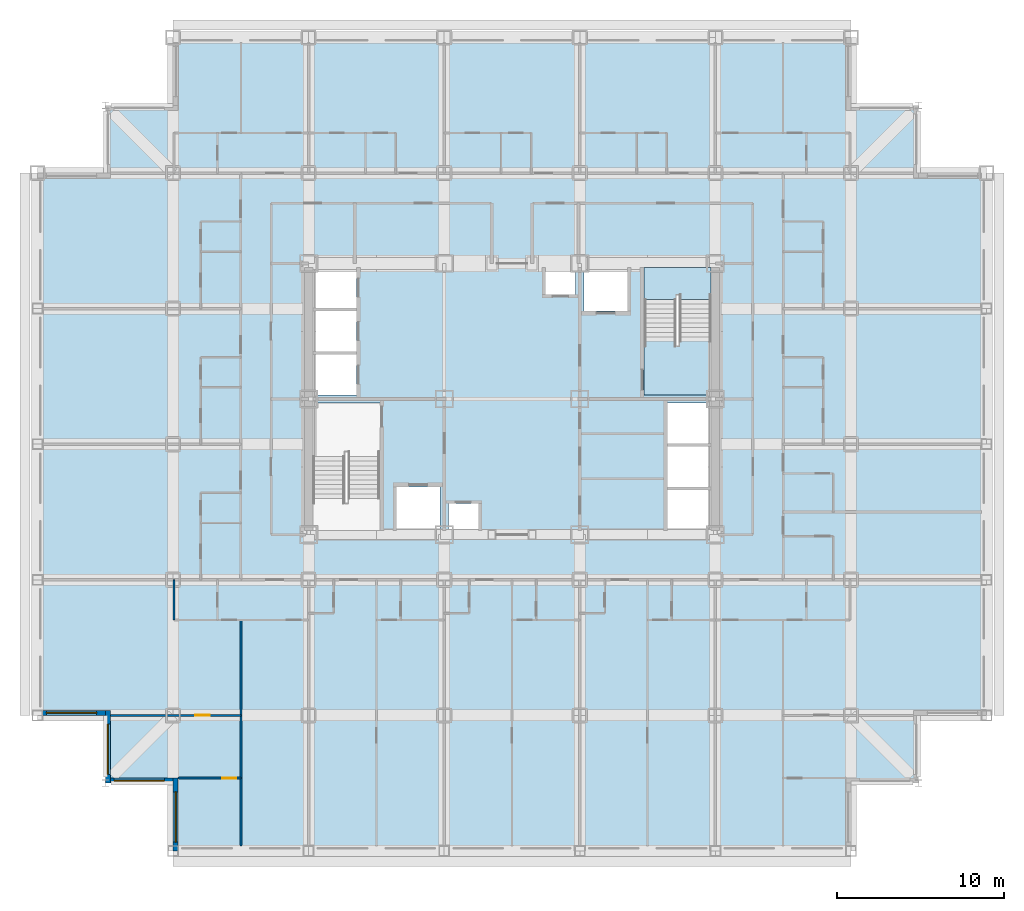
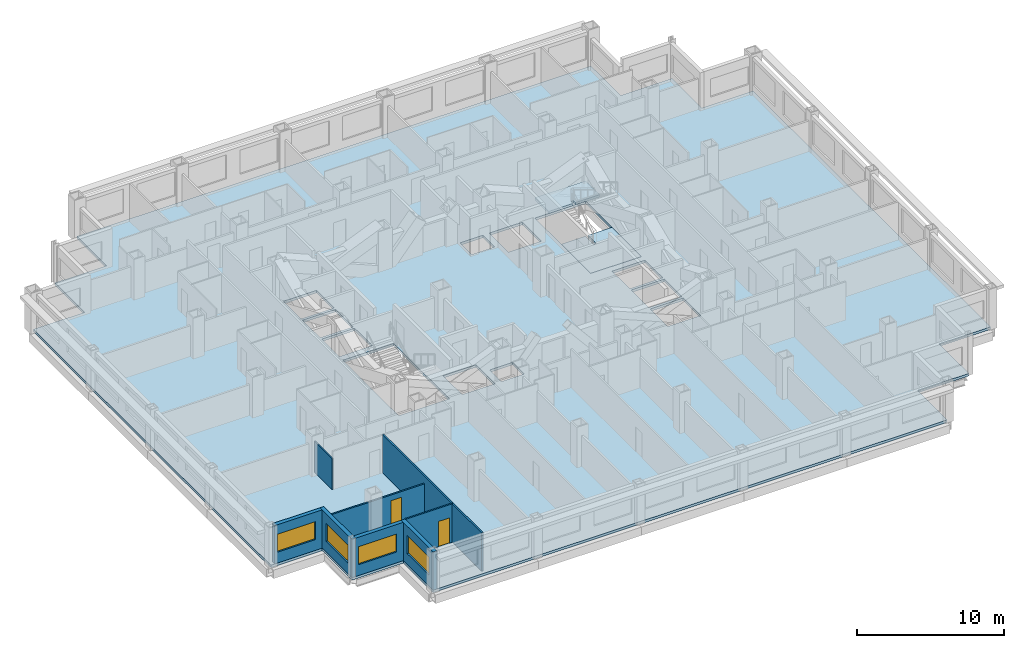
# One storey, part 3 of 12: 8 walls, 4 windows, 3 slabs, 2 doors, 6 openings, 1 element without a shape of its own.
"""IFC4 building model written with IfcOpenShell, lengths in metres."""

from ifc_helpers import new_model, si_unit, direction, frame, frame_2d, origin, place, context, subcontext, project, spatial, polyline, rectangle, outline, extrude, material, layer, layer_set, type_object, element, fill, aggregate, save


model = new_model("IFC4")

# Units and contexts
model_context = context("Model", 3, precision=1e-05, world=origin(), true_north=direction((0.0, 1.0)))
body_context = subcontext(model_context, "Body", "Model", "MODEL_VIEW")
ifc_project = project(units=[si_unit("LENGTHUNIT", "METRE"), si_unit("AREAUNIT", "SQUARE_METRE"), si_unit("VOLUMEUNIT", "CUBIC_METRE"), si_unit("PLANEANGLEUNIT", "RADIAN"), si_unit("MASSUNIT", "GRAM", prefix="KILO")], contexts=[model_context])

# Site, building, storey
site_placement = place(None, origin())
site = spatial("IfcSite", under=ifc_project, at=site_placement, CompositionType="ELEMENT")
building_placement = place(site_placement, origin())
building = spatial("IfcBuilding", under=site, at=building_placement, Name="Kopane Lantern Tower", CompositionType="ELEMENT")
storey_placement = place(building_placement, frame((0.0, 0.0, 103.39990234375)))
storey = spatial("IfcBuildingStorey", under=building, at=storey_placement, Name="L25", CompositionType="ELEMENT", Elevation=103.39990234375)

# Slab
ifc_material_1 = material(Name="Concrete C40/50", Category="concrete")
ifc_layer_1 = layer(ifc_material_1, 0.2099609375)
ifc_layer_set_1 = layer_set([ifc_layer_1], Name="SLAB 210 COMPOSITE")
slab_type_1 = type_object("IfcSlabType", Name="SLAB 210 COMPOSITE", PredefinedType="FLOOR", material=ifc_layer_set_1)
slab_1_placement = place(storey_placement, frame((0.0, 0.0, -0.2099609375)))
element("IfcSlab", 1, at=slab_1_placement, inside=storey, type_object=slab_type_1, Name="Floor slab L25", PredefinedType="FLOOR", context=body_context, shape_type="SweptSolid", body=[
    extrude(outline(polyline([(8.10009765625, 5.39990234375), (48.60009765625, 5.39990234375), (48.60009765625, 9.449951171875), (52.64990234375, 9.449951171875), (52.64990234375, 13.5), (56.699951171875, 13.5), (56.699951171875, 45.89990234375), (52.64990234375, 45.89990234375), (52.64990234375, 49.949951171875), (48.60009765625, 49.949951171875), (48.60009765625, 54.0), (8.10009765625, 54.0), (8.10009765625, 49.949951171875), (4.050048828125, 49.949951171875), (4.050048828125, 45.89990234375), (0.0, 45.89990234375), (0.0, 13.5), (4.050048828125, 13.5), (4.050048828125, 9.449951171875), (8.10009765625, 9.449951171875), (8.10009765625, 5.39990234375)]), holes=[polyline([(16.449951171875, 24.550048828125), (20.449951171875, 24.550048828125), (20.449951171875, 32.14990234375), (16.449951171875, 32.14990234375), (16.449951171875, 24.550048828125)]), polyline([(36.25, 32.64990234375), (40.25, 32.64990234375), (40.25, 40.25), (36.25, 40.25), (36.25, 32.64990234375)]), polyline([(16.449951171875, 32.64990234375), (19.050048828125, 32.64990234375), (19.050048828125, 35.050048828125), (16.449951171875, 35.050048828125), (16.449951171875, 32.64990234375)]), polyline([(16.449951171875, 35.25), (19.050048828125, 35.25), (19.050048828125, 37.64990234375), (16.449951171875, 37.64990234375), (16.449951171875, 35.25)]), polyline([(16.449951171875, 37.85009765625), (19.050048828125, 37.85009765625), (19.050048828125, 40.25), (16.449951171875, 40.25), (16.449951171875, 37.85009765625)]), polyline([(37.64990234375, 24.550048828125), (40.25, 24.550048828125), (40.25, 26.949951171875), (37.64990234375, 26.949951171875), (37.64990234375, 24.550048828125)]), polyline([(37.64990234375, 27.14990234375), (40.25, 27.14990234375), (40.25, 29.550048828125), (37.64990234375, 29.550048828125), (37.64990234375, 27.14990234375)]), polyline([(37.64990234375, 29.75), (40.25, 29.75), (40.25, 32.14990234375), (37.64990234375, 32.14990234375), (37.64990234375, 29.75)]), polyline([(21.449951171875, 24.550048828125), (24.050048828125, 24.550048828125), (24.050048828125, 27.14990234375), (21.449951171875, 27.14990234375), (21.449951171875, 24.550048828125)]), polyline([(32.64990234375, 37.64990234375), (35.25, 37.64990234375), (35.25, 40.25), (32.64990234375, 40.25), (32.64990234375, 37.64990234375)]), polyline([(24.550048828125, 24.550048828125), (26.35009765625, 24.550048828125), (26.35009765625, 26.14990234375), (24.550048828125, 26.14990234375), (24.550048828125, 24.550048828125)]), polyline([(30.35009765625, 38.64990234375), (32.14990234375, 38.64990234375), (32.14990234375, 40.25), (30.35009765625, 40.25), (30.35009765625, 38.64990234375)])]), origin(), (0.0, 0.0, 1.0), 0.2099609375),
])

# Stair, slabs
ifc_material_2 = material(Name="Steel S355JR", Category="steel")
stair_type = type_object("IfcStairType", Name="EXIT STAIR 1900 HALF TURN", PredefinedType="HALF_TURN_STAIR", material=ifc_material_2)
stair_placement = place(storey_placement, origin())
stair = element("IfcStair", 2, at=stair_placement, inside=storey, type_object=stair_type, Name="Exit stair ST2 L25", PredefinedType="HALF_TURN_STAIR")
ifc_material_3 = material(Name="Concrete C40/50", Category="concrete")
ifc_layer_2 = layer(ifc_material_3, 0.199951171875)
ifc_layer_set_2 = layer_set([ifc_layer_2], Name="STAIR LANDING 200")
slab_type_2 = type_object("IfcSlabType", Name="STAIR LANDING 200", PredefinedType="LANDING", material=ifc_layer_set_2)
slab_2_placement = place(storey_placement, frame((0.0, 0.0, -0.199951171875)))
slab_2 = element("IfcSlab", 3, at=slab_2_placement, type_object=slab_type_2, Name="ST2 landing 1", PredefinedType="LANDING", context=body_context, shape_type="SweptSolid", body=[
    extrude(outline(polyline([(40.25, 36.669921875), (38.35009765625, 36.669921875), (38.35009765625, 35.550048828125), (38.14990234375, 35.550048828125), (38.14990234375, 36.669921875), (36.25, 36.669921875), (36.25, 32.64990234375), (40.25, 32.64990234375), (40.25, 36.669921875)])), origin(), (0.0, 0.0, 1.0), 0.199951171875),
])
slab_3_placement = place(storey_placement, frame((0.0, 0.0, 1.5)))
slab_3 = element("IfcSlab", 4, at=slab_3_placement, type_object=slab_type_2, Name="ST2 landing 2", PredefinedType="LANDING", context=body_context, shape_type="SweptSolid", body=[
    extrude(outline(polyline([(38.14990234375, 38.6298828125), (38.35009765625, 38.6298828125), (38.35009765625, 38.35009765625), (40.25, 38.35009765625), (40.25, 40.25), (36.25, 40.25), (36.25, 38.35009765625), (38.14990234375, 38.35009765625), (38.14990234375, 38.6298828125)])), origin(), (0.0, 0.0, 1.0), 0.2001953125),
])
aggregate(stair, [slab_2, slab_3])

# Wall
ifc_material_4 = material(Name="Gypsum board on steel studs", Category="steel")
ifc_layer_3 = layer(ifc_material_4, 0.1201171875)
ifc_layer_set_3 = layer_set([ifc_layer_3], Name="APARTMENT INTERNAL WALL 120")
wall_type_1 = type_object("IfcWallType", Name="APARTMENT INTERNAL WALL 120", PredefinedType="PARTITIONING", material=ifc_layer_set_3)
wall_1_placement = place(storey_placement, frame((12.14990234375, 19.199951171875, 0.0), z_axis=(0.0, 0.0, 1.0), x_axis=(0.0, -1.0, 0.0)))
element("IfcWall", 5, at=wall_1_placement, inside=storey, type_object=wall_type_1, Name="Apartment Internal Wall 120 L25", PredefinedType="PARTITIONING", context=body_context, shape_type="SweptSolid", body=[
    extrude(rectangle(XDim=13.5, YDim=0.1201171875, at=frame_2d((6.75, 0.0))), origin(), (0.0, 0.0, 1.0), 3.190185546875),
])

# Wall, opening, door
wall_2_placement = place(storey_placement, frame((12.14990234375, 13.5, 0.0), z_axis=(0.0, 0.0, 1.0), x_axis=(-1.0, 0.0, 0.0)))
wall_2 = element("IfcWall", 6, at=wall_2_placement, inside=storey, type_object=wall_type_1, Name="Apartment Internal Wall 120 L25", PredefinedType="PARTITIONING", context=body_context, shape_type="SweptSolid", body=[
    extrude(rectangle(XDim=7.7998046875, YDim=0.1201171875, at=frame_2d((3.89990234375, 0.0))), origin(), (0.0, 0.0, 1.0), 2.577880859375),
])
opening_1_placement = place(wall_2_placement, frame((1.875, 0.0, 0.0)))
opening_1 = element("IfcOpeningElement", 7, at=opening_1_placement, cuts=wall_2, Name="Opening L25-053", PredefinedType="OPENING", context=body_context, shape_type="SweptSolid", body=[
    extrude(rectangle(XDim=0.85009765625, YDim=2.10009765625, at=frame_2d((0.425048828125, 1.050048828125))), frame((0.0, 0.070068359375, 0.0), z_axis=(0.0, -1.0, 0.0), x_axis=(1.0, 0.0, 0.0)), (0.0, 0.0, 1.0), 0.14013671875),
])
ifc_material_5 = material(Name="Timber door set", Category="wood")
door_type = type_object("IfcDoorType", Name="DOOR D4 850x2100", OperationType="SINGLE_SWING_LEFT", PredefinedType="DOOR", material=ifc_material_5)
door_1_placement = place(opening_1_placement, origin())
door_1 = element("IfcDoor", 8, at=door_1_placement, inside=storey, type_object=door_type, Name="Door L25-053", OperationType="SINGLE_SWING_LEFT", OverallHeight=2.10009765625, OverallWidth=0.85009765625, PredefinedType="DOOR", context=body_context, shape_type="SweptSolid", body=[
    extrude(rectangle(XDim=0.85009765625, YDim=2.10009765625, at=frame_2d((0.425048828125, 1.050048828125))), frame((0.0, 0.02490234375, 0.0), z_axis=(0.0, -1.0, 0.0), x_axis=(1.0, 0.0, 0.0)), (0.0, 0.0, 1.0), 0.050048828125),
])
fill(opening_1, door_1)

wall_3_placement = place(storey_placement, frame((8.389892578125, 9.75, 0.0), z_axis=(0.0, 0.0, 1.0), x_axis=(1.0, 0.0, 0.0)))
wall_3 = element("IfcWall", 9, at=wall_3_placement, inside=storey, type_object=wall_type_1, Name="Apartment Internal Wall 120 L25", PredefinedType="PARTITIONING", context=body_context, shape_type="SweptSolid", body=[
    extrude(rectangle(XDim=3.760009765625, YDim=0.1201171875, at=frame_2d((1.8798828125, 0.0))), origin(), (0.0, 0.0, 1.0), 3.190185546875),
])
opening_2_placement = place(wall_3_placement, frame((2.635009765625, 0.0, 0.0)))
opening_2 = element("IfcOpeningElement", 10, at=opening_2_placement, cuts=wall_3, Name="Opening L25-070", PredefinedType="OPENING", context=body_context, shape_type="SweptSolid", body=[
    extrude(rectangle(XDim=0.85009765625, YDim=2.10009765625, at=frame_2d((0.425048828125, 1.050048828125))), frame((0.0, 0.070068359375, 0.0), z_axis=(0.0, -1.0, 0.0), x_axis=(1.0, 0.0, 0.0)), (0.0, 0.0, 1.0), 0.14013671875),
])
door_2_placement = place(opening_2_placement, origin())
door_2 = element("IfcDoor", 11, at=door_2_placement, inside=storey, type_object=door_type, Name="Door L25-070", OperationType="SINGLE_SWING_RIGHT", OverallHeight=2.10009765625, OverallWidth=0.85009765625, PredefinedType="DOOR", context=body_context, shape_type="SweptSolid", body=[
    extrude(rectangle(XDim=0.85009765625, YDim=2.10009765625, at=frame_2d((0.425048828125, 1.050048828125))), frame((0.0, 0.02490234375, 0.0), z_axis=(0.0, -1.0, 0.0), x_axis=(1.0, 0.0, 0.0)), (0.0, 0.0, 1.0), 0.050048828125),
])
fill(opening_2, door_2)

# Wall
ifc_material_6 = material(Name="Moisture-resistant board on steel studs", Category="steel")
ifc_layer_4 = layer(ifc_material_6, 0.10009765625)
ifc_layer_set_4 = layer_set([ifc_layer_4], Name="BATHROOM WALL 100")
wall_type_2 = type_object("IfcWallType", Name="BATHROOM WALL 100", PredefinedType="PARTITIONING", material=ifc_layer_set_4)
wall_4_placement = place(storey_placement, frame((8.14990234375, 21.60009765625, 0.0), z_axis=(0.0, 0.0, 1.0), x_axis=(0.0, -1.0, 0.0)))
element("IfcWall", 12, at=wall_4_placement, inside=storey, type_object=wall_type_2, Name="Bathroom Wall 100 L25", PredefinedType="PARTITIONING", context=body_context, shape_type="SweptSolid", body=[
    extrude(rectangle(XDim=2.400146484375, YDim=0.10009765625, at=frame_2d((1.2001953125, 0.0))), origin(), (0.0, 0.0, 1.0), 2.577880859375),
])

# Wall, opening, window
ifc_material_7 = material(Name="Terracotta rainscreen on light steel framing", Category="masonry")
ifc_layer_5 = layer(ifc_material_7, 0.300048828125)
ifc_layer_set_5 = layer_set([ifc_layer_5], Name="EXTERNAL WALL EW1 300 TERRACOTTA")
wall_type_3 = type_object("IfcWallType", Name="EXTERNAL WALL EW1 300 TERRACOTTA", PredefinedType="SOLIDWALL", material=ifc_layer_set_5)
wall_5_placement = place(storey_placement, frame((0.300048828125, 13.64990234375, 0.0), z_axis=(0.0, 0.0, 1.0), x_axis=(1.0, 0.0, 0.0)))
wall_5 = element("IfcWall", 13, at=wall_5_placement, inside=storey, type_object=wall_type_3, Name="External wall S L25", PredefinedType="SOLIDWALL", context=body_context, shape_type="SweptSolid", body=[
    extrude(rectangle(XDim=3.75, YDim=0.300048828125, at=frame_2d((1.875, 0.0))), origin(), (0.0, 0.0, 1.0), 3.190185546875),
])
opening_3_placement = place(wall_5_placement, frame((0.22509765625, 0.0, 0.89990234375)))
opening_3 = element("IfcOpeningElement", 14, at=opening_3_placement, cuts=wall_5, Name="Opening WR300150", PredefinedType="OPENING", context=body_context, shape_type="SweptSolid", body=[
    extrude(rectangle(XDim=3.0, YDim=1.5, at=frame_2d((1.5, 0.75))), frame((0.0, 0.159912109375, 0.0), z_axis=(0.0, -1.0, 0.0), x_axis=(1.0, 0.0, 0.0)), (0.0, 0.0, 1.0), 0.320068359375),
])
ifc_material_8 = material(Name="Aluminium and clear glass", Category="aluminium")
window_type = type_object("IfcWindowType", Name="RIBBON WINDOW WR300150 3000x1500", PartitioningType="SINGLE_PANEL", PredefinedType="WINDOW", material=ifc_material_8)
window_1_placement = place(opening_3_placement, origin())
window_1 = element("IfcWindow", 15, at=window_1_placement, inside=storey, type_object=window_type, Name="Window S L25", OverallHeight=1.5, OverallWidth=3.0, PartitioningType="SINGLE_PANEL", PredefinedType="WINDOW", context=body_context, shape_type="SweptSolid", body=[
    extrude(rectangle(XDim=3.0, YDim=1.5, at=frame_2d((1.5, 0.75))), frame((0.0, 0.030029296875, 0.0), z_axis=(0.0, -1.0, 0.0), x_axis=(1.0, 0.0, 0.0)), (0.0, 0.0, 1.0), 0.06005859375),
])
fill(opening_3, window_1)

wall_6_placement = place(storey_placement, frame((4.199951171875, 13.800048828125, 0.0), z_axis=(0.0, 0.0, 1.0), x_axis=(0.0, -1.0, 0.0)))
wall_6 = element("IfcWall", 16, at=wall_6_placement, inside=storey, type_object=wall_type_3, Name="External wall W L25", PredefinedType="SOLIDWALL", context=body_context, shape_type="SweptSolid", body=[
    extrude(rectangle(XDim=4.35009765625, YDim=0.300048828125, at=frame_2d((2.175048828125, 0.0))), origin(), (0.0, 0.0, 1.0), 3.190185546875),
])
opening_4_placement = place(wall_6_placement, frame((0.824951171875, 0.0, 0.89990234375)))
opening_4 = element("IfcOpeningElement", 17, at=opening_4_placement, cuts=wall_6, Name="Opening WR300150", PredefinedType="OPENING", context=body_context, shape_type="SweptSolid", body=[
    extrude(rectangle(XDim=3.0, YDim=1.5, at=frame_2d((1.5, 0.75))), frame((0.0, 0.159912109375, 0.0), z_axis=(0.0, -1.0, 0.0), x_axis=(1.0, 0.0, 0.0)), (0.0, 0.0, 1.0), 0.320068359375),
])
window_2_placement = place(opening_4_placement, origin())
window_2 = element("IfcWindow", 18, at=window_2_placement, inside=storey, type_object=window_type, Name="Window W L25", OverallHeight=1.5, OverallWidth=3.0, PartitioningType="SINGLE_PANEL", PredefinedType="WINDOW", context=body_context, shape_type="SweptSolid", body=[
    extrude(rectangle(XDim=3.0, YDim=1.5, at=frame_2d((1.5, 0.75))), frame((0.0, 0.030029296875, 0.0), z_axis=(0.0, -1.0, 0.0), x_axis=(1.0, 0.0, 0.0)), (0.0, 0.0, 1.0), 0.06005859375),
])
fill(opening_4, window_2)

wall_7_placement = place(storey_placement, frame((4.35009765625, 9.60009765625, 0.0), z_axis=(0.0, 0.0, 1.0), x_axis=(1.0, 0.0, 0.0)))
wall_7 = element("IfcWall", 19, at=wall_7_placement, inside=storey, type_object=wall_type_3, Name="External wall S L25", PredefinedType="SOLIDWALL", context=body_context, shape_type="SweptSolid", body=[
    extrude(rectangle(XDim=3.75, YDim=0.300048828125, at=frame_2d((1.875, 0.0))), origin(), (0.0, 0.0, 1.0), 3.190185546875),
])
opening_5_placement = place(wall_7_placement, frame((0.22509765625, 0.0, 0.89990234375)))
opening_5 = element("IfcOpeningElement", 20, at=opening_5_placement, cuts=wall_7, Name="Opening WR300150", PredefinedType="OPENING", context=body_context, shape_type="SweptSolid", body=[
    extrude(rectangle(XDim=3.0, YDim=1.5, at=frame_2d((1.5, 0.75))), frame((0.0, 0.159912109375, 0.0), z_axis=(0.0, -1.0, 0.0), x_axis=(1.0, 0.0, 0.0)), (0.0, 0.0, 1.0), 0.320068359375),
])
window_3_placement = place(opening_5_placement, origin())
window_3 = element("IfcWindow", 21, at=window_3_placement, inside=storey, type_object=window_type, Name="Window S L25", OverallHeight=1.5, OverallWidth=3.0, PartitioningType="SINGLE_PANEL", PredefinedType="WINDOW", context=body_context, shape_type="SweptSolid", body=[
    extrude(rectangle(XDim=3.0, YDim=1.5, at=frame_2d((1.5, 0.75))), frame((0.0, 0.030029296875, 0.0), z_axis=(0.0, -1.0, 0.0), x_axis=(1.0, 0.0, 0.0)), (0.0, 0.0, 1.0), 0.06005859375),
])
fill(opening_5, window_3)

wall_8_placement = place(storey_placement, frame((8.25, 9.75, 0.0), z_axis=(0.0, 0.0, 1.0), x_axis=(0.0, -1.0, 0.0)))
wall_8 = element("IfcWall", 22, at=wall_8_placement, inside=storey, type_object=wall_type_3, Name="External wall W L25", PredefinedType="SOLIDWALL", context=body_context, shape_type="SweptSolid", body=[
    extrude(rectangle(XDim=4.35009765625, YDim=0.300048828125, at=frame_2d((2.175048828125, 0.0))), origin(), (0.0, 0.0, 1.0), 3.190185546875),
])
opening_6_placement = place(wall_8_placement, frame((0.824951171875, 0.0, 0.89990234375)))
opening_6 = element("IfcOpeningElement", 23, at=opening_6_placement, cuts=wall_8, Name="Opening WR300150", PredefinedType="OPENING", context=body_context, shape_type="SweptSolid", body=[
    extrude(rectangle(XDim=3.0, YDim=1.5, at=frame_2d((1.5, 0.75))), frame((0.0, 0.159912109375, 0.0), z_axis=(0.0, -1.0, 0.0), x_axis=(1.0, 0.0, 0.0)), (0.0, 0.0, 1.0), 0.320068359375),
])
window_4_placement = place(opening_6_placement, origin())
window_4 = element("IfcWindow", 24, at=window_4_placement, inside=storey, type_object=window_type, Name="Window W L25", OverallHeight=1.5, OverallWidth=3.0, PartitioningType="SINGLE_PANEL", PredefinedType="WINDOW", context=body_context, shape_type="SweptSolid", body=[
    extrude(rectangle(XDim=3.0, YDim=1.5, at=frame_2d((1.5, 0.75))), frame((0.0, 0.030029296875, 0.0), z_axis=(0.0, -1.0, 0.0), x_axis=(1.0, 0.0, 0.0)), (0.0, 0.0, 1.0), 0.06005859375),
])
fill(opening_6, window_4)

save(model, "model.ifc")
